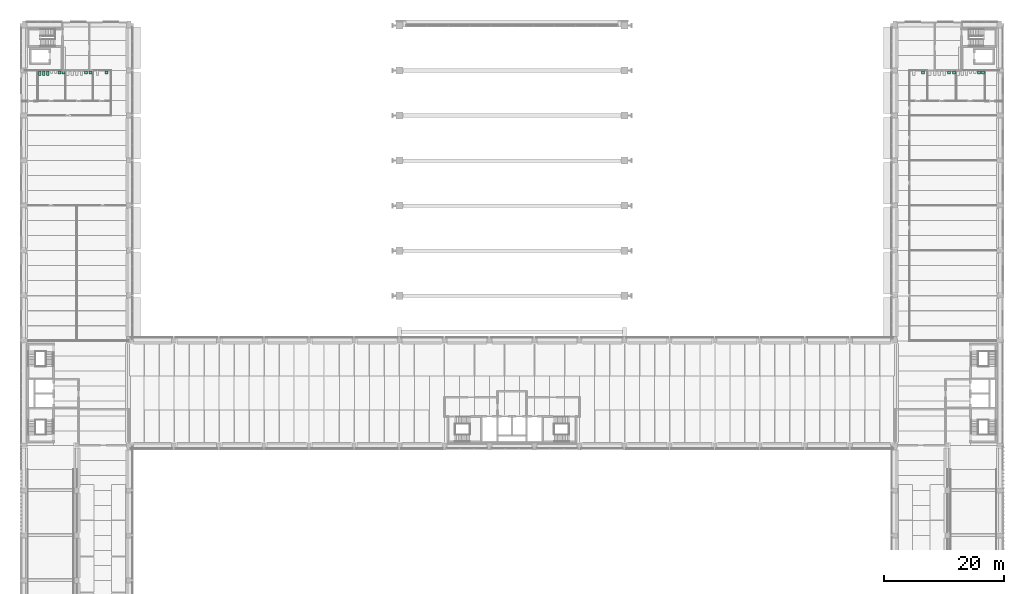
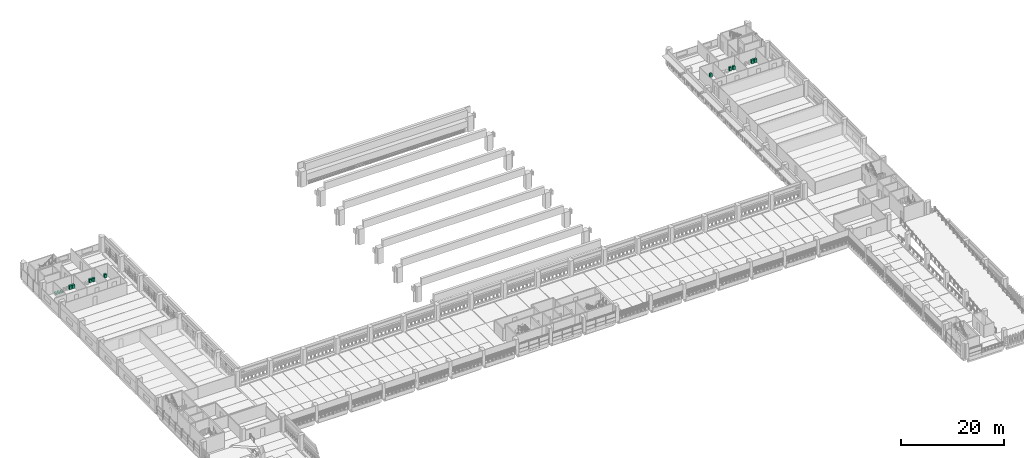
# One storey, part 59 of 61: 13 sanitary terminals.
"""IFC4 building model written with IfcOpenShell, lengths in metres."""

from ifc_helpers import new_model, si_unit, direction, frame, origin, origin_2d, place, context, subcontext, project, spatial, rectangle, extrude, material, type_object, element, save


model = new_model("IFC4")

# Units and contexts
model_context = context("Model", 3, precision=1e-05, world=origin(), true_north=direction((0.0, 1.0)))
body_context = subcontext(model_context, "Body", "Model", "MODEL_VIEW")
ifc_project = project(units=[si_unit("LENGTHUNIT", "METRE"), si_unit("AREAUNIT", "SQUARE_METRE"), si_unit("VOLUMEUNIT", "CUBIC_METRE"), si_unit("PLANEANGLEUNIT", "RADIAN"), si_unit("MASSUNIT", "GRAM", prefix="KILO")], contexts=[model_context])

# Site, building, storey
site_placement = place(None, origin())
site = spatial("IfcSite", under=ifc_project, at=site_placement, CompositionType="ELEMENT")
building_placement = place(site_placement, origin())
building = spatial("IfcBuilding", under=site, at=building_placement, Name="Cour d'Honneur Mobility Palace", CompositionType="ELEMENT")
storey_placement = place(building_placement, frame((0.0, 0.0, 11.89990234375)))
storey = spatial("IfcBuildingStorey", under=building, at=storey_placement, Name="L03", CompositionType="ELEMENT", Elevation=11.89990234375)

# Sanitary terminals
ifc_material_1 = material(Name="Vitreous china")
sanitary_terminal_type_1 = type_object("IfcSanitaryTerminalType", Name="Wash basin", PredefinedType="WASHHANDBASIN", material=ifc_material_1)
for number, where, z_axis, x_axis, name in (
    (1, (5.814208984375, 107.054931640625, 0.0), (0.0, 0.0, 1.0), (1.0, 0.0, 0.0), "Wash basin WC Men West"),
    (2, (6.471435546875, 107.054931640625, 0.0), (0.0, 0.0, 1.0), (1.0, 0.0, 0.0), "Wash basin WC Men West"),
    (3, (10.25, 107.054931640625, 0.0), (0.0, 0.0, 1.0), (1.0, 0.0, 0.0), "Wash basin WC Women West"),
    (4, (11.0166015625, 107.054931640625, 0.0), (0.0, 0.0, 1.0), (1.0, 0.0, 0.0), "Wash basin WC Women West"),
    (5, (13.64990234375, 107.054931640625, 0.0), (0.0, 0.0, 1.0), (1.0, 0.0, 0.0), "Wash basin Accessible WC West"),
    (6, (158.871337890625, 107.054931640625, 0.0), (0.0, 0.0, 1.0), (1.0, 0.0, 0.0), "Wash basin WC Men East"),
    (7, (159.55712890625, 107.054931640625, 0.0), (0.0, 0.0, 1.0), (1.0, 0.0, 0.0), "Wash basin WC Men East"),
    (8, (153.89990234375, 107.054931640625, 0.0), (0.0, 0.0, 1.0), (1.0, 0.0, 0.0), "Wash basin WC Women East"),
    (9, (154.699951171875, 107.054931640625, 0.0), (0.0, 0.0, 1.0), (1.0, 0.0, 0.0), "Wash basin WC Women East"),
    (10, (149.550048828125, 107.054931640625, 0.0), (0.0, 0.0, 1.0), (1.0, 0.0, 0.0), "Wash basin Accessible WC East"),
):
    element("IfcSanitaryTerminal", number, at=place(storey_placement, frame(where, z_axis=z_axis, x_axis=x_axis)), inside=storey, type_object=sanitary_terminal_type_1, Name=name, PredefinedType="WASHHANDBASIN", context=body_context, shape_type="SweptSolid", body=[
        extrude(rectangle(XDim=0.5, YDim=0.449951171875, at=origin_2d()), origin(), (0.0, 0.0, 1.0), 0.85009765625),
    ])
ifc_material_2 = material(Name="Vitreous china")
sanitary_terminal_type_2 = type_object("IfcSanitaryTerminalType", Name="Water closet", PredefinedType="WCSEAT", material=ifc_material_2)
for number, where, z_axis, x_axis, name in (
    (11, (2.528564453125, 106.929931640625, 0.000244140625), (0.0, 0.0, 1.0), (1.0, 0.0, 0.0), "Water closet WC Men West"),
    (12, (3.185791015625, 106.929931640625, 0.000244140625), (0.0, 0.0, 1.0), (1.0, 0.0, 0.0), "Water closet WC Men West"),
    (13, (3.843017578125, 106.929931640625, 0.000244140625), (0.0, 0.0, 1.0), (1.0, 0.0, 0.0), "Water closet WC Men West"),
):
    element("IfcSanitaryTerminal", number, at=place(storey_placement, frame(where, z_axis=z_axis, x_axis=x_axis)), inside=storey, type_object=sanitary_terminal_type_2, Name=name, PredefinedType="WCSEAT", context=body_context, shape_type="SweptSolid", body=[
        extrude(rectangle(XDim=0.39990234375, YDim=0.699951171875, at=origin_2d()), origin(), (0.0, 0.0, 1.0), 0.39990234375),
    ])

save(model, "model.ifc")
